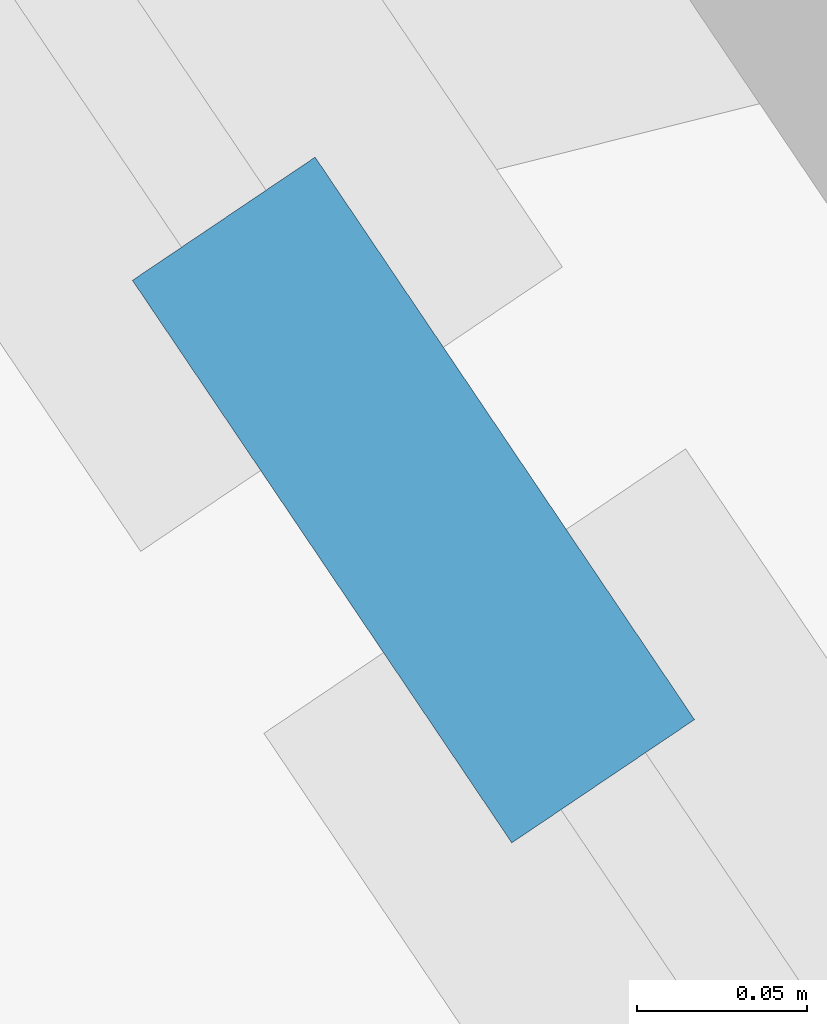
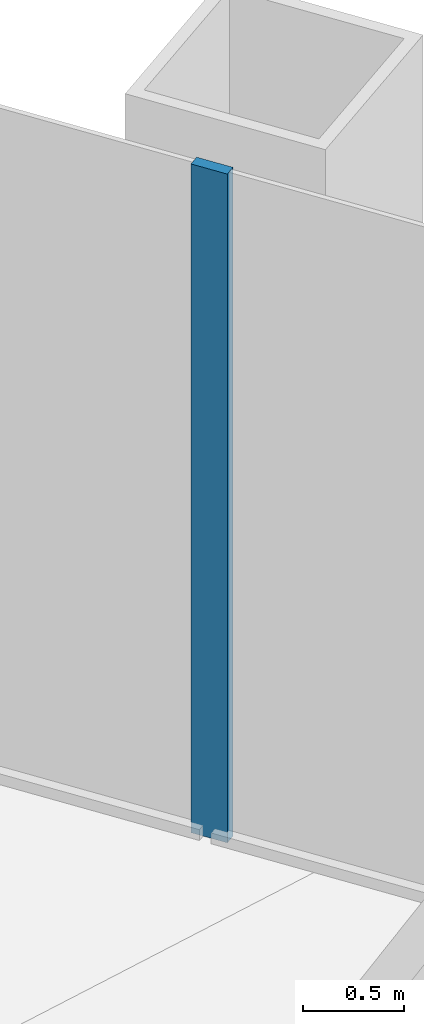
# One storey, part 5 of 14: 1 member, 1 element without a shape of its own.
"""IFC4 building model written with IfcOpenShell, lengths in metres."""

from ifc_helpers import new_model, si_unit, direction, frame, origin, origin_2d, place, context, subcontext, project, spatial, rectangle, extrude, material, material_profile, profile_set, type_object, element, aggregate, save


model = new_model("IFC4")

# Units and contexts
model_context = context("Model", 3, precision=1e-05, world=origin(), true_north=direction((0.0, 1.0)))
body_context = subcontext(model_context, "Body", "Model", "MODEL_VIEW")
ifc_project = project(units=[si_unit("LENGTHUNIT", "METRE"), si_unit("AREAUNIT", "SQUARE_METRE"), si_unit("VOLUMEUNIT", "CUBIC_METRE"), si_unit("PLANEANGLEUNIT", "RADIAN"), si_unit("MASSUNIT", "GRAM", prefix="KILO")], contexts=[model_context])

# Site, building, storey
site_placement = place(None, origin())
site = spatial("IfcSite", under=ifc_project, at=site_placement, CompositionType="ELEMENT")
building_placement = place(site_placement, origin())
building = spatial("IfcBuilding", under=site, at=building_placement, Name="Qingtian Harvest Tower", CompositionType="ELEMENT")
storey_placement = place(building_placement, frame((0.0, 0.0, 201.39990234375)))
storey = spatial("IfcBuildingStorey", under=building, at=storey_placement, Name="L43", CompositionType="ELEMENT", Elevation=201.39990234375)

# Curtain wall, member
ifc_material_1 = material(Name="Bronze-anodised aluminium curtain wall", Category="aluminium")
curtain_wall_type = type_object("IfcCurtainWallType", Name="Curtain wall CW4 office", PredefinedType="USERDEFINED", material=ifc_material_1)
curtain_wall_placement = place(storey_placement, origin())
curtain_wall = element("IfcCurtainWall", 1, at=curtain_wall_placement, inside=storey, type_object=curtain_wall_type, Name="Curtain wall CW4 L43 NE0-5", ObjectType="RECESSED CURTAIN WALL", PredefinedType="USERDEFINED")
ifc_material_2 = material(Name="Bronze-anodised aluminium mullion", Category="aluminium")
ifc_material_profile = material_profile(ifc_material_2, rectangle(XDim=0.06494140625, YDim=0.199951171875, at=origin_2d()), Name="AL 65x200")
ifc_profile_set = profile_set([ifc_material_profile], Name="Bronze-anodised aluminium mullion")
member_type = type_object("IfcMemberType", Name="Mullion CWM 65x200", PredefinedType="MULLION", material=ifc_profile_set)
member_placement = place(storey_placement, frame((23.150390625, 5.55712890625, 0.0), z_axis=(0.0, 0.0, 1.0), x_axis=(0.829037572555, 0.559192903471, 0.0)))
member = element("IfcMember", 2, at=member_placement, type_object=member_type, Name="CW4 mullion 6", PredefinedType="MULLION", context=body_context, shape_type="SweptSolid", body=[
    extrude(rectangle(XDim=0.06494140625, YDim=0.199951171875, at=origin_2d()), origin(), (0.0, 0.0, 1.0), 4.030029296875),
])
aggregate(curtain_wall, [member])

save(model, "model.ifc")
